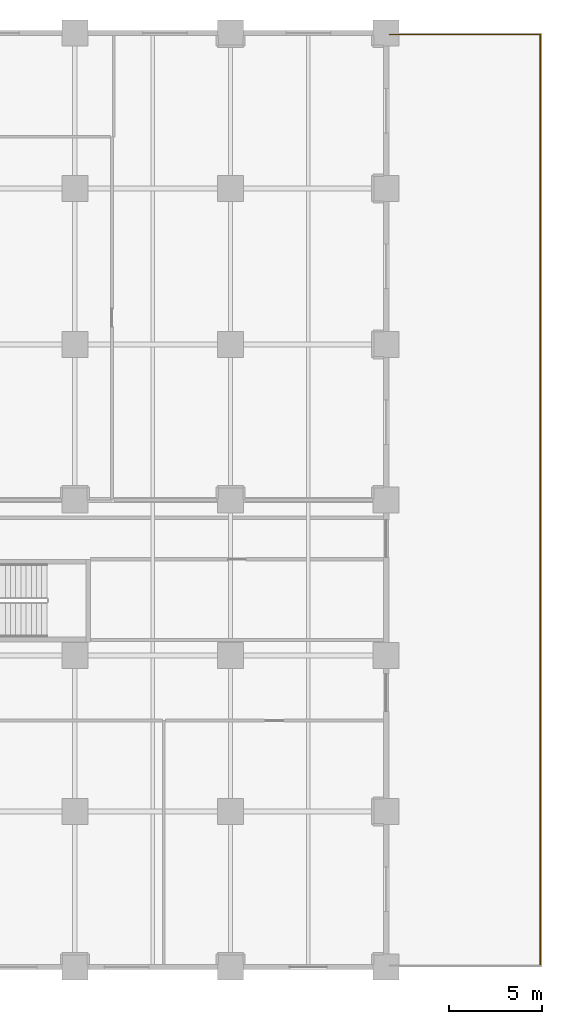
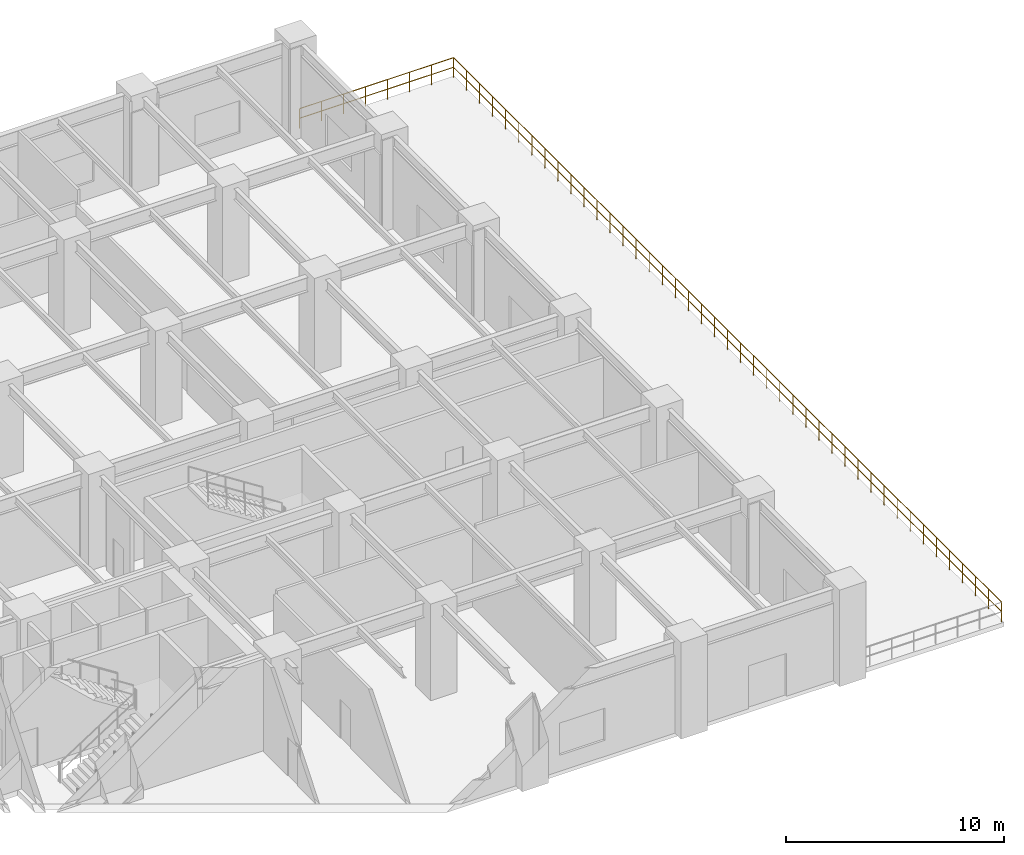
# One storey, part 12 of 13: 2 railings.
"""IFC4 building model written with IfcOpenShell, lengths in metres."""

import ifcopenshell
import ifcopenshell.guid

model = None  # the IFC model being written
_history = None  # IfcOwnerHistory: only IFC2X3 demands one
_inside = {}  # id of a spatial element -> (the spatial element, [elements in it])
_under = {}  # id of a project, library or spatial element -> (it, [spatial elements below it])
_declared = {}  # id of a project -> (the project, [libraries it declares])
_typed = {}  # id of a type object -> (the type object, [elements of that type])
_made_of = {}  # id of a material, layer set ... -> (it, [elements and type objects made of it])


def new_model(schema):
    """Start an empty IFC model of exactly this schema.

    Asked for "IFC4X3", IfcOpenShell would pick the latest addendum, in which some entities
    have other attributes; the version numbers below select the first issue.
    IFC2X3 requires an IfcOwnerHistory on every rooted entity: one is made here for all.
    """
    global model, _history
    if schema == "IFC4X3":
        model = ifcopenshell.file(schema_version=(4, 3, 0, 0))
    else:
        model = ifcopenshell.file(schema=schema)
    _inside.clear()
    _under.clear()
    _declared.clear()
    _typed.clear()
    _made_of.clear()
    _history = None
    if model.schema == "IFC2X3":
        org = make("IfcOrganization", Name="unknown")
        user = make(
            "IfcPersonAndOrganization",
            ThePerson=make("IfcPerson", FamilyName="unknown"),
            TheOrganization=org,
        )
        app = make(
            "IfcApplication",
            ApplicationDeveloper=org,
            Version="unknown",
            ApplicationFullName="unknown",
            ApplicationIdentifier="unknown",
        )
        _history = make(
            "IfcOwnerHistory",
            OwningUser=user,
            OwningApplication=app,
            ChangeAction="ADDED",
            CreationDate=0,
        )
    return model


def make(cls, **values):
    """One entity of the class cls with the attributes given. An attribute that is None is left unset."""
    return model.create_entity(
        cls, **{name: value for name, value in values.items() if value is not None}
    )


def rooted(cls, **values):
    """An entity with a GlobalId (a new one), such as an element, a storey or a relation."""
    return make(cls, GlobalId=ifcopenshell.guid.new(), OwnerHistory=_history, **values)


def si_unit(unit_type, name, prefix=None):
    """IfcSIUnit, for example si_unit("LENGTHUNIT", "METRE", prefix="MILLI")."""
    return make("IfcSIUnit", UnitType=unit_type, Prefix=prefix, Name=name)


def assignment(units):
    """IfcUnitAssignment: the units of a project."""
    return None if units is None else make("IfcUnitAssignment", Units=units)


def point(xyz):
    """IfcCartesianPoint."""
    return None if xyz is None else make("IfcCartesianPoint", Coordinates=xyz)


def direction(xyz):
    """IfcDirection."""
    return None if xyz is None else make("IfcDirection", DirectionRatios=xyz)


def frame(location, z_axis=None, x_axis=None):
    """IfcAxis2Placement3D, a coordinate frame: its origin and axes. An axis left out is left unset."""
    return make(
        "IfcAxis2Placement3D",
        Location=point(location),
        Axis=direction(z_axis),
        RefDirection=direction(x_axis),
    )


def frame_2d(location, x_axis=None):
    """IfcAxis2Placement2D, a coordinate frame in the plane: its origin and x axis."""
    return make(
        "IfcAxis2Placement2D", Location=point(location), RefDirection=direction(x_axis)
    )


def origin():
    """The frame at (0, 0, 0) with its axes left unset."""
    return frame((0.0, 0.0, 0.0))


def origin_2d():
    """The frame at (0, 0) in the plane with its x axis left unset."""
    return frame_2d((0.0, 0.0))


def place(relative_to, where):
    """IfcLocalPlacement: puts the frame where relative to a parent placement (None: the world)."""
    return make(
        "IfcLocalPlacement", PlacementRelTo=relative_to, RelativePlacement=where
    )


def context(
    kind, dimensions, precision=None, world=None, true_north=None, identifier=None
):
    """IfcGeometricRepresentationContext, for example the 3D "Model" context."""
    return make(
        "IfcGeometricRepresentationContext",
        ContextIdentifier=identifier,
        ContextType=kind,
        CoordinateSpaceDimension=dimensions,
        Precision=precision,
        WorldCoordinateSystem=world,
        TrueNorth=true_north,
    )


def subcontext(parent, identifier, kind, view, scale=None):
    """IfcGeometricRepresentationSubContext, for example "Body" below "Model"."""
    return make(
        "IfcGeometricRepresentationSubContext",
        ContextIdentifier=identifier,
        ContextType=kind,
        ParentContext=parent,
        TargetScale=scale,
        TargetView=view,
    )


def project(units=None, contexts=None):
    """IfcProject with its units and contexts."""
    return rooted(
        "IfcProject",
        Name="project",
        RepresentationContexts=contexts,
        UnitsInContext=assignment(units),
    )


def spatial(cls, under=None, at=None, **own):
    """A site, building, storey or space (cls), placed at a placement, below another one or the project."""
    s = rooted(cls, ObjectPlacement=at, **own)
    if under is not None:
        _under.setdefault(under.id(), (under, []))[1].append(s)
    return s


def profile(cls, at=None, kind="AREA", **sizes):
    """A parametric profile (cls). Its sizes go by their IFC names, for example OverallWidth=200.0."""
    return make(cls, ProfileType=kind, Position=at, **sizes)


def circle(**sizes):
    """IfcCircleProfileDef."""
    return profile("IfcCircleProfileDef", **sizes)


def extrude(swept, where, along, depth):
    """IfcExtrudedAreaSolid: the profile swept, set in the frame where, extruded along a direction by depth."""
    return make(
        "IfcExtrudedAreaSolid",
        SweptArea=swept,
        Position=where,
        ExtrudedDirection=direction(along),
        Depth=depth,
    )


def shape(context_of_items, identifier, shape_type, items):
    """IfcShapeRepresentation: the items that make up one representation, for example the "Body"."""
    return make(
        "IfcShapeRepresentation",
        ContextOfItems=context_of_items,
        RepresentationIdentifier=identifier,
        RepresentationType=shape_type,
        Items=items,
    )


def material(Name=None, Category=None):
    """IfcMaterial."""
    return make("IfcMaterial", Name=Name, Category=Category)


def made_of(thing, what):
    """Note that an element or type object is made of a material, layer set ...; save() writes the relation."""
    if what is not None:
        _made_of.setdefault(what.id(), (what, []))[1].append(thing)
    return thing


def type_object(cls, material=None, **own):
    """A type object (cls), such as IfcWallType, which elements share."""
    return made_of(rooted(cls, **own), material)


def element(
    cls,
    number,
    at=None,
    inside=None,
    cuts=None,
    type_object=None,
    material=None,
    context=None,
    identifier="Body",
    shape_type=None,
    held_by="IfcProductDefinitionShape",
    body=None,
    shapes=None,
    **own,
):
    """One element of the class cls, such as IfcWall. Its Tag is "e" and its number.

    at: its placement. inside: the storey or other place that contains it. cuts: it is an
    opening in that element (IfcRelVoidsElement). A single representation is given by context,
    identifier, shape_type and body (its items); several are given by shapes. held_by: the class
    of the entity that holds the representations. save() writes the other relations.
    """
    e = rooted(cls, Tag="e%d" % number, ObjectPlacement=at, **own)
    if body is not None:
        shapes = [shape(context, identifier, shape_type, body)]
    if shapes is not None:
        e.Representation = make(held_by, Representations=shapes)
    if inside is not None:
        _inside.setdefault(inside.id(), (inside, []))[1].append(e)
    if cuts is not None:
        rooted(
            "IfcRelVoidsElement", RelatingBuildingElement=cuts, RelatedOpeningElement=e
        )
    if type_object is not None:
        _typed.setdefault(type_object.id(), (type_object, []))[1].append(e)
    return made_of(e, material)


def aggregate(whole, parts):
    """IfcRelAggregates: a whole, such as a stair, and the parts it consists of."""
    return rooted("IfcRelAggregates", RelatingObject=whole, RelatedObjects=parts)


def save(model, path):
    """Write the relations noted so far, then the file.

    IfcRelAggregates (storeys below a building ...), IfcRelContainedInSpatialStructure (elements
    in a storey), IfcRelDefinesByType, IfcRelAssociatesMaterial and IfcRelDeclares: one each for
    every whole, place, type object, material and project.
    """
    for whole, parts in _under.values():
        aggregate(whole, parts)
    for where, things in _inside.values():
        rooted(
            "IfcRelContainedInSpatialStructure",
            RelatedElements=things,
            RelatingStructure=where,
        )
    for kind, things in _typed.values():
        rooted("IfcRelDefinesByType", RelatedObjects=things, RelatingType=kind)
    for what, things in _made_of.values():
        rooted("IfcRelAssociatesMaterial", RelatedObjects=things, RelatingMaterial=what)
    for by, libraries in _declared.values():
        rooted("IfcRelDeclares", RelatingContext=by, RelatedDefinitions=libraries)
    model.write(path)


model = new_model("IFC4")

# Units and contexts
model_context = context("Model", 3, precision=1e-05, world=origin(), true_north=direction((0.0, 1.0)))
body_context = subcontext(model_context, "Body", "Model", "MODEL_VIEW")
ifc_project = project(units=[si_unit("LENGTHUNIT", "METRE"), si_unit("AREAUNIT", "SQUARE_METRE"), si_unit("VOLUMEUNIT", "CUBIC_METRE"), si_unit("PLANEANGLEUNIT", "RADIAN"), si_unit("MASSUNIT", "GRAM", prefix="KILO")], contexts=[model_context])

# Site, building, storey
site_placement = place(None, origin())
site = spatial("IfcSite", under=ifc_project, at=site_placement, CompositionType="ELEMENT")
building_placement = place(site_placement, origin())
building = spatial("IfcBuilding", under=site, at=building_placement, Name="Nerrivon Quay Data Exchange", CompositionType="ELEMENT")
storey_placement = place(building_placement, origin())
storey = spatial("IfcBuildingStorey", under=building, at=storey_placement, Name="L00", CompositionType="ELEMENT", Elevation=0.0)

# Railings
ifc_material = material(Name="Steel Grade C350L0 (350 MPa)", Category="steel")
railing_type = type_object("IfcRailingType", Name="RAIL-GUARD-GR2", PredefinedType="BALUSTRADE", material=ifc_material)
railing_1_placement = place(storey_placement, frame((58.97998046875, 50.320068359375, 0.0)))
element("IfcRailing", 1, at=railing_1_placement, inside=storey, type_object=railing_type, Name="L00 Terrace Perimeter Guard 1.2 1", PredefinedType="BALUSTRADE", context=body_context, shape_type="SweptSolid", body=[
    extrude(circle(Radius=0.02392578125, at=origin_2d()), frame((0.0, 0.0, 1.09619140625), z_axis=(1.0, 0.0, 0.0), x_axis=(0.0, 1.0, 0.0)), (0.0, 0.0, 1.0), 8.14013671875),
    extrude(circle(Radius=0.02392578125, at=origin_2d()), frame((0.0, 0.0, 0.56005859375), z_axis=(1.0, 0.0, 0.0), x_axis=(0.0, 1.0, 0.0)), (0.0, 0.0, 1.0), 8.14013671875),
    extrude(circle(Radius=0.02099609375, at=origin_2d()), origin(), (0.0, 0.0, 1.0), 1.072021484375),
    extrude(circle(Radius=0.02099609375, at=origin_2d()), frame((1.162841796875, 0.0, 0.0)), (0.0, 0.0, 1.0), 1.072021484375),
    extrude(circle(Radius=0.02099609375, at=origin_2d()), frame((2.32568359375, 0.0, 0.0)), (0.0, 0.0, 1.0), 1.072021484375),
    extrude(circle(Radius=0.02099609375, at=origin_2d()), frame((3.488525390625, 0.0, 0.0)), (0.0, 0.0, 1.0), 1.072021484375),
    extrude(circle(Radius=0.02099609375, at=origin_2d()), frame((4.651611328125, 0.0, 0.0)), (0.0, 0.0, 1.0), 1.072021484375),
    extrude(circle(Radius=0.02099609375, at=origin_2d()), frame((5.814453125, 0.0, 0.0)), (0.0, 0.0, 1.0), 1.072021484375),
    extrude(circle(Radius=0.02099609375, at=origin_2d()), frame((6.977294921875, 0.0, 0.0)), (0.0, 0.0, 1.0), 1.072021484375),
    extrude(circle(Radius=0.02099609375, at=origin_2d()), frame((8.14013671875, 0.0, 0.0)), (0.0, 0.0, 1.0), 1.072021484375),
])
railing_2_placement = place(storey_placement, frame((67.1201171875, 50.320068359375, 0.0)))
element("IfcRailing", 2, at=railing_2_placement, inside=storey, type_object=railing_type, Name="L00 Terrace Perimeter Guard 1.3 1", PredefinedType="BALUSTRADE", context=body_context, shape_type="SweptSolid", body=[
    extrude(circle(Radius=0.02392578125, at=origin_2d()), frame((0.0, 0.0, 1.09619140625), z_axis=(0.0, -1.0, 0.0), x_axis=(1.0, 0.0, 0.0)), (0.0, 0.0, 1.0), 50.239990234375),
    extrude(circle(Radius=0.02392578125, at=origin_2d()), frame((0.0, 0.0, 0.56005859375), z_axis=(0.0, -1.0, 0.0), x_axis=(1.0, 0.0, 0.0)), (0.0, 0.0, 1.0), 50.239990234375),
    extrude(circle(Radius=0.02099609375, at=origin_2d()), origin(), (0.0, 0.0, 1.0), 1.072021484375),
    extrude(circle(Radius=0.02099609375, at=origin_2d()), frame((0.0, -1.1962890625, 0.0)), (0.0, 0.0, 1.0), 1.072021484375),
    extrude(circle(Radius=0.02099609375, at=origin_2d()), frame((0.0, -2.392333984375, 0.0)), (0.0, 0.0, 1.0), 1.072021484375),
    extrude(circle(Radius=0.02099609375, at=origin_2d()), frame((0.0, -3.588623046875, 0.0)), (0.0, 0.0, 1.0), 1.072021484375),
    extrude(circle(Radius=0.02099609375, at=origin_2d()), frame((0.0, -4.78466796875, 0.0)), (0.0, 0.0, 1.0), 1.072021484375),
    extrude(circle(Radius=0.02099609375, at=origin_2d()), frame((0.0, -5.98095703125, 0.0)), (0.0, 0.0, 1.0), 1.072021484375),
    extrude(circle(Radius=0.02099609375, at=origin_2d()), frame((0.0, -7.17724609375, 0.0)), (0.0, 0.0, 1.0), 1.072021484375),
    extrude(circle(Radius=0.02099609375, at=origin_2d()), frame((0.0, -8.373291015625, 0.0)), (0.0, 0.0, 1.0), 1.072021484375),
    extrude(circle(Radius=0.02099609375, at=origin_2d()), frame((0.0, -9.569580078125, 0.0)), (0.0, 0.0, 1.0), 1.072021484375),
    extrude(circle(Radius=0.02099609375, at=origin_2d()), frame((0.0, -10.765625, 0.0)), (0.0, 0.0, 1.0), 1.072021484375),
    extrude(circle(Radius=0.02099609375, at=origin_2d()), frame((0.0, -11.9619140625, 0.0)), (0.0, 0.0, 1.0), 1.072021484375),
    extrude(circle(Radius=0.02099609375, at=origin_2d()), frame((0.0, -13.158203125, 0.0)), (0.0, 0.0, 1.0), 1.072021484375),
    extrude(circle(Radius=0.02099609375, at=origin_2d()), frame((0.0, -14.354248046875, 0.0)), (0.0, 0.0, 1.0), 1.072021484375),
    extrude(circle(Radius=0.02099609375, at=origin_2d()), frame((0.0, -15.550537109375, 0.0)), (0.0, 0.0, 1.0), 1.072021484375),
    extrude(circle(Radius=0.02099609375, at=origin_2d()), frame((0.0, -16.74658203125, 0.0)), (0.0, 0.0, 1.0), 1.072021484375),
    extrude(circle(Radius=0.02099609375, at=origin_2d()), frame((0.0, -17.94287109375, 0.0)), (0.0, 0.0, 1.0), 1.072021484375),
    extrude(circle(Radius=0.02099609375, at=origin_2d()), frame((0.0, -19.13916015625, 0.0)), (0.0, 0.0, 1.0), 1.072021484375),
    extrude(circle(Radius=0.02099609375, at=origin_2d()), frame((0.0, -20.335205078125, 0.0)), (0.0, 0.0, 1.0), 1.072021484375),
    extrude(circle(Radius=0.02099609375, at=origin_2d()), frame((0.0, -21.531494140625, 0.0)), (0.0, 0.0, 1.0), 1.072021484375),
    extrude(circle(Radius=0.02099609375, at=origin_2d()), frame((0.0, -22.7275390625, 0.0)), (0.0, 0.0, 1.0), 1.072021484375),
    extrude(circle(Radius=0.02099609375, at=origin_2d()), frame((0.0, -23.923828125, 0.0)), (0.0, 0.0, 1.0), 1.072021484375),
    extrude(circle(Radius=0.02099609375, at=origin_2d()), frame((0.0, -25.1201171875, 0.0)), (0.0, 0.0, 1.0), 1.072021484375),
    extrude(circle(Radius=0.02099609375, at=origin_2d()), frame((0.0, -26.316162109375, 0.0)), (0.0, 0.0, 1.0), 1.072021484375),
    extrude(circle(Radius=0.02099609375, at=origin_2d()), frame((0.0, -27.512451171875, 0.0)), (0.0, 0.0, 1.0), 1.072021484375),
    extrude(circle(Radius=0.02099609375, at=origin_2d()), frame((0.0, -28.70849609375, 0.0)), (0.0, 0.0, 1.0), 1.072021484375),
    extrude(circle(Radius=0.02099609375, at=origin_2d()), frame((0.0, -29.90478515625, 0.0)), (0.0, 0.0, 1.0), 1.072021484375),
    extrude(circle(Radius=0.02099609375, at=origin_2d()), frame((0.0, -31.100830078125, 0.0)), (0.0, 0.0, 1.0), 1.072021484375),
    extrude(circle(Radius=0.02099609375, at=origin_2d()), frame((0.0, -32.297119140625, 0.0)), (0.0, 0.0, 1.0), 1.072021484375),
    extrude(circle(Radius=0.02099609375, at=origin_2d()), frame((0.0, -33.493408203125, 0.0)), (0.0, 0.0, 1.0), 1.072021484375),
    extrude(circle(Radius=0.02099609375, at=origin_2d()), frame((0.0, -34.689453125, 0.0)), (0.0, 0.0, 1.0), 1.072021484375),
    extrude(circle(Radius=0.02099609375, at=origin_2d()), frame((0.0, -35.8857421875, 0.0)), (0.0, 0.0, 1.0), 1.072021484375),
    extrude(circle(Radius=0.02099609375, at=origin_2d()), frame((0.0, -37.081787109375, 0.0)), (0.0, 0.0, 1.0), 1.072021484375),
    extrude(circle(Radius=0.02099609375, at=origin_2d()), frame((0.0, -38.278076171875, 0.0)), (0.0, 0.0, 1.0), 1.072021484375),
    extrude(circle(Radius=0.02099609375, at=origin_2d()), frame((0.0, -39.474365234375, 0.0)), (0.0, 0.0, 1.0), 1.072021484375),
    extrude(circle(Radius=0.02099609375, at=origin_2d()), frame((0.0, -40.67041015625, 0.0)), (0.0, 0.0, 1.0), 1.072021484375),
    extrude(circle(Radius=0.02099609375, at=origin_2d()), frame((0.0, -41.86669921875, 0.0)), (0.0, 0.0, 1.0), 1.072021484375),
    extrude(circle(Radius=0.02099609375, at=origin_2d()), frame((0.0, -43.062744140625, 0.0)), (0.0, 0.0, 1.0), 1.072021484375),
    extrude(circle(Radius=0.02099609375, at=origin_2d()), frame((0.0, -44.259033203125, 0.0)), (0.0, 0.0, 1.0), 1.072021484375),
    extrude(circle(Radius=0.02099609375, at=origin_2d()), frame((0.0, -45.455322265625, 0.0)), (0.0, 0.0, 1.0), 1.072021484375),
    extrude(circle(Radius=0.02099609375, at=origin_2d()), frame((0.0, -46.6513671875, 0.0)), (0.0, 0.0, 1.0), 1.072021484375),
    extrude(circle(Radius=0.02099609375, at=origin_2d()), frame((0.0, -47.84765625, 0.0)), (0.0, 0.0, 1.0), 1.072021484375),
    extrude(circle(Radius=0.02099609375, at=origin_2d()), frame((0.0, -49.043701171875, 0.0)), (0.0, 0.0, 1.0), 1.072021484375),
    extrude(circle(Radius=0.02099609375, at=origin_2d()), frame((0.0, -50.239990234375, 0.0)), (0.0, 0.0, 1.0), 1.072021484375),
])

save(model, "model.ifc")
